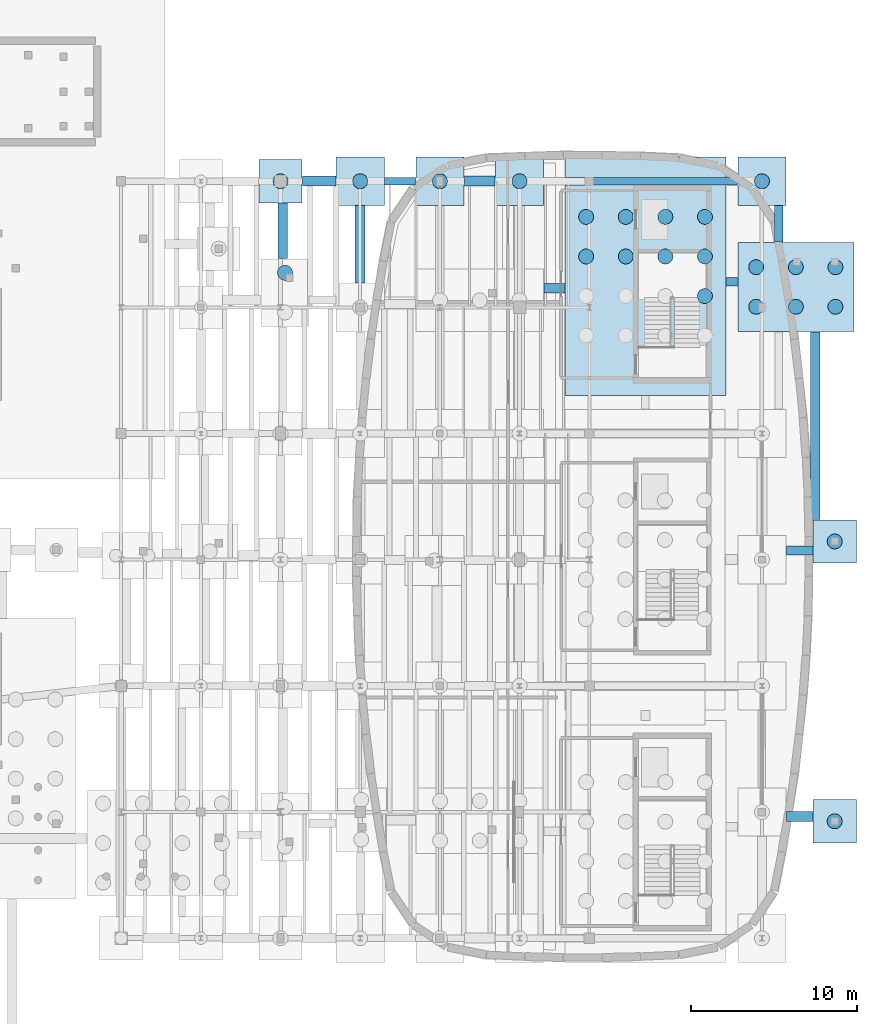
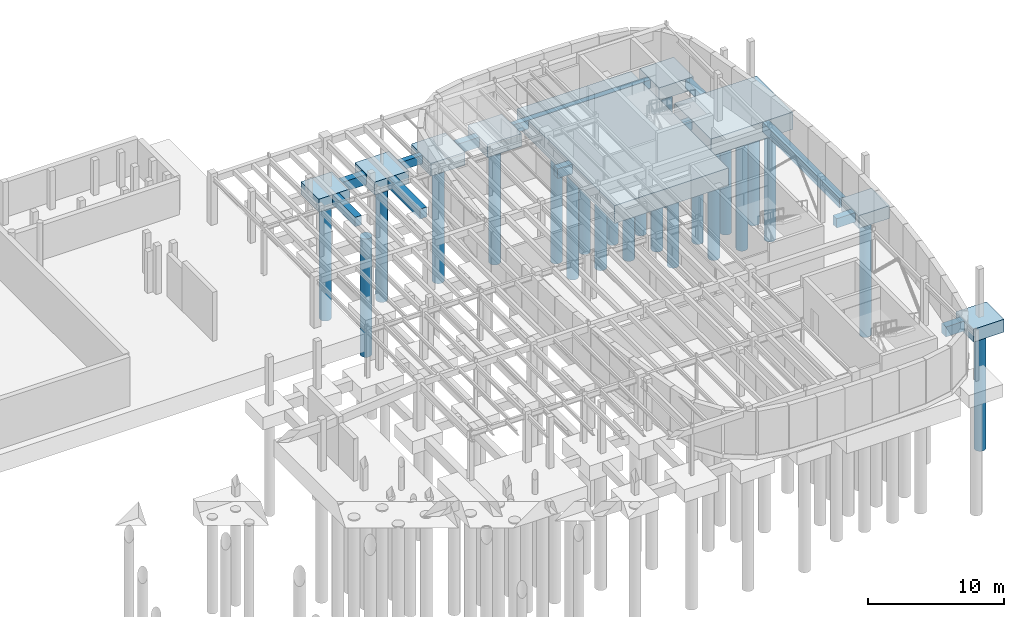
# One storey, part 8 of 45: 23 piles, 21 footings.
"""IFC4 building model written with IfcOpenShell, lengths in metres."""

from ifc_helpers import new_model, si_unit, direction, frame, origin, origin_2d, place, context, subcontext, project, spatial, rectangle, circle, extrude, material, material_profile, profile_set, type_object, element, save


model = new_model("IFC4")

# Units and contexts
model_context = context("Model", 3, precision=1e-05, world=origin(), true_north=direction((0.0, 1.0)))
body_context = subcontext(model_context, "Body", "Model", "MODEL_VIEW")
ifc_project = project(units=[si_unit("LENGTHUNIT", "METRE"), si_unit("AREAUNIT", "SQUARE_METRE"), si_unit("VOLUMEUNIT", "CUBIC_METRE"), si_unit("PLANEANGLEUNIT", "RADIAN"), si_unit("MASSUNIT", "GRAM", prefix="KILO")], contexts=[model_context])

# Site, building, storey
site_placement = place(None, origin())
site = spatial("IfcSite", under=ifc_project, at=site_placement, CompositionType="ELEMENT")
building_placement = place(site_placement, origin())
building = spatial("IfcBuilding", under=site, at=building_placement, Name="Corveleigh Park Community Centre", CompositionType="ELEMENT")
storey_placement = place(building_placement, frame((0.0, 0.0, -4.199951171875)))
storey = spatial("IfcBuildingStorey", under=building, at=storey_placement, Name="B1", CompositionType="ELEMENT", Elevation=-4.199951171875)

# Footings
ifc_material_1 = material(Name="Concrete C40/50", Category="concrete")
footing_type_1 = type_object("IfcFootingType", Name="FTG-GB-450x750", PredefinedType="FOOTING_BEAM", material=ifc_material_1)
footing_1_placement = place(storey_placement, frame((146.60009765625, 104.199951171875, -1.1650390625), z_axis=(0.0, 0.0, 1.0), x_axis=(1.0, 0.0, 0.0)))
element("IfcFooting", 1, at=footing_1_placement, inside=storey, type_object=footing_type_1, Name="Ground tie beam 193", PredefinedType="FOOTING_BEAM", context=body_context, shape_type="SweptSolid", body=[
    extrude(rectangle(XDim=1.860107421875, YDim=0.449951171875, at=origin_2d()), origin(), (0.0, 0.0, 1.0), 0.75),
])
footing_2_placement = place(storey_placement, frame((161.10009765625, 104.199951171875, -1.1650390625), z_axis=(0.0, 0.0, 1.0), x_axis=(1.0, 0.0, 0.0)))
element("IfcFooting", 2, at=footing_2_placement, inside=storey, type_object=footing_type_1, Name="Ground tie beam 213", PredefinedType="FOOTING_BEAM", context=body_context, shape_type="SweptSolid", body=[
    extrude(rectangle(XDim=11.659912109375, YDim=0.449951171875, at=origin_2d()), origin(), (0.0, 0.0, 1.0), 0.75),
])
footing_type_2 = type_object("IfcFootingType", Name="FTG-GB-500x800", PredefinedType="FOOTING_BEAM", material=ifc_material_1)
footing_3_placement = place(storey_placement, frame((166.5869140625, 98.15087890625, -1.21484375), z_axis=(0.0, 0.0, 1.0), x_axis=(1.0, 0.0, 0.0)))
element("IfcFooting", 3, at=footing_3_placement, inside=storey, type_object=footing_type_2, Name="Ground tie beam 218", PredefinedType="FOOTING_BEAM", context=body_context, shape_type="SweptSolid", body=[
    extrude(rectangle(XDim=0.68505859375, YDim=0.5, at=origin_2d()), origin(), (0.0, 0.0, 1.0), 0.800048828125),
])
footing_4_placement = place(storey_placement, frame((169.4208984375, 101.6279296875, -1.21484375), z_axis=(0.0, 0.0, 1.0), x_axis=(1.0, 0.0, 0.0)))
element("IfcFooting", 4, at=footing_4_placement, inside=storey, type_object=footing_type_2, Name="Ground tie beam 226", PredefinedType="FOOTING_BEAM", context=body_context, shape_type="SweptSolid", body=[
    extrude(rectangle(XDim=0.5, YDim=2.202880859375, at=origin_2d()), origin(), (0.0, 0.0, 1.0), 0.800048828125),
])
footing_type_3 = type_object("IfcFootingType", Name="FTG-GB-550x850", PredefinedType="FOOTING_BEAM", material=ifc_material_1)
footing_5_placement = place(storey_placement, frame((139.535888671875, 101.212890625, -1.26513671875), z_axis=(0.0, 0.0, 1.0), x_axis=(1.0, 0.0, 0.0)))
element("IfcFooting", 5, at=footing_5_placement, inside=storey, type_object=footing_type_3, Name="Ground tie beam 179", PredefinedType="FOOTING_BEAM", context=body_context, shape_type="SweptSolid", body=[
    extrude(rectangle(XDim=0.550048828125, YDim=3.333984375, at=origin_2d()), origin(), (0.0, 0.0, 1.0), 0.85009765625),
])
footing_6_placement = place(storey_placement, frame((155.89990234375, 97.7509765625, -1.26513671875), z_axis=(0.0, 0.0, 1.0), x_axis=(1.0, 0.0, 0.0)))
element("IfcFooting", 6, at=footing_6_placement, inside=storey, type_object=footing_type_3, Name="Ground tie beam 203", PredefinedType="FOOTING_BEAM", context=body_context, shape_type="SweptSolid", body=[
    extrude(rectangle(XDim=1.259033203125, YDim=0.550048828125, at=origin_2d()), origin(), (0.0, 0.0, 1.0), 0.85009765625),
])
footing_7_placement = place(storey_placement, frame((170.666015625, 81.949951171875, -1.26513671875), z_axis=(0.0, 0.0, 1.0), x_axis=(1.0, 0.0, 0.0)))
element("IfcFooting", 7, at=footing_7_placement, inside=storey, type_object=footing_type_3, Name="Ground tie beam 223", PredefinedType="FOOTING_BEAM", context=body_context, shape_type="SweptSolid", body=[
    extrude(rectangle(XDim=1.592041015625, YDim=0.550048828125, at=origin_2d()), origin(), (0.0, 0.0, 1.0), 0.85009765625),
])
footing_8_placement = place(storey_placement, frame((171.612060546875, 89.47509765625, -1.26513671875), z_axis=(0.0, 0.0, 1.0), x_axis=(1.0, 0.0, 0.0)))
element("IfcFooting", 8, at=footing_8_placement, inside=storey, type_object=footing_type_3, Name="Ground tie beam 227", PredefinedType="FOOTING_BEAM", context=body_context, shape_type="SweptSolid", body=[
    extrude(rectangle(XDim=0.550048828125, YDim=11.31005859375, at=origin_2d()), origin(), (0.0, 0.0, 1.0), 0.85009765625),
])
footing_type_4 = type_object("IfcFootingType", Name="FTG-GB-600x900", PredefinedType="FOOTING_BEAM", material=ifc_material_1)
footing_9_placement = place(storey_placement, frame((141.72509765625, 104.199951171875, -1.31494140625), z_axis=(0.0, 0.0, 1.0), x_axis=(1.0, 0.0, 0.0)))
element("IfcFooting", 9, at=footing_9_placement, inside=storey, type_object=footing_type_4, Name="Ground tie beam 180", PredefinedType="FOOTING_BEAM", context=body_context, shape_type="SweptSolid", body=[
    extrude(rectangle(XDim=2.010009765625, YDim=0.60009765625, at=origin_2d()), origin(), (0.0, 0.0, 1.0), 0.89990234375),
])
footing_10_placement = place(storey_placement, frame((144.199951171875, 100.39990234375, -1.31494140625), z_axis=(0.0, 0.0, 1.0), x_axis=(1.0, 0.0, 0.0)))
element("IfcFooting", 10, at=footing_10_placement, inside=storey, type_object=footing_type_4, Name="Ground tie beam 192", PredefinedType="FOOTING_BEAM", context=body_context, shape_type="SweptSolid", body=[
    extrude(rectangle(XDim=0.60009765625, YDim=4.659912109375, at=origin_2d()), origin(), (0.0, 0.0, 1.0), 0.89990234375),
])
footing_11_placement = place(storey_placement, frame((151.39990234375, 104.199951171875, -1.31494140625), z_axis=(0.0, 0.0, 1.0), x_axis=(1.0, 0.0, 0.0)))
element("IfcFooting", 11, at=footing_11_placement, inside=storey, type_object=footing_type_4, Name="Ground tie beam 204", PredefinedType="FOOTING_BEAM", context=body_context, shape_type="SweptSolid", body=[
    extrude(rectangle(XDim=1.860107421875, YDim=0.60009765625, at=origin_2d()), origin(), (0.0, 0.0, 1.0), 0.89990234375),
])
footing_12_placement = place(storey_placement, frame((170.666015625, 65.922119140625, -1.31494140625), z_axis=(0.0, 0.0, 1.0), x_axis=(1.0, 0.0, 0.0)))
element("IfcFooting", 12, at=footing_12_placement, inside=storey, type_object=footing_type_4, Name="Ground tie beam 220", PredefinedType="FOOTING_BEAM", context=body_context, shape_type="SweptSolid", body=[
    extrude(rectangle(XDim=1.592041015625, YDim=0.60009765625, at=origin_2d()), origin(), (0.0, 0.0, 1.0), 0.89990234375),
])
footing_type_5 = type_object("IfcFootingType", Name="FTG-PC-2600x2600x1150", PredefinedType="PILE_CAP", material=ifc_material_1)
footing_13_placement = place(storey_placement, frame((139.39990234375, 104.199951171875, -1.56494140625), z_axis=(0.0, 0.0, 1.0), x_axis=(1.0, 0.0, 0.0)))
element("IfcFooting", 13, at=footing_13_placement, inside=storey, type_object=footing_type_5, Name="Pile cap 139", PredefinedType="PILE_CAP", context=body_context, shape_type="SweptSolid", body=[
    extrude(rectangle(XDim=2.60009765625, YDim=2.60009765625, at=origin_2d()), origin(), (0.0, 0.0, 1.0), 1.14990234375),
])
for number, where, z_axis, x_axis, name in (
    (14, (144.199951171875, 104.199951171875, -1.56494140625), (0.0, 0.0, 1.0), (1.0, 0.0, 0.0), "Pile cap 146"),
    (15, (149.0, 104.199951171875, -1.56494140625), (0.0, 0.0, 1.0), (1.0, 0.0, 0.0), "Pile cap 153"),
    (16, (153.800048828125, 104.199951171875, -1.56494140625), (0.0, 0.0, 1.0), (1.0, 0.0, 0.0), "Pile cap 158"),
    (17, (168.39990234375, 104.199951171875, -1.56494140625), (0.0, 0.0, 1.0), (1.0, 0.0, 0.0), "Pile cap 168"),
):
    element("IfcFooting", number, at=place(storey_placement, frame(where, z_axis=z_axis, x_axis=x_axis)), inside=storey, type_object=footing_type_5, Name=name, PredefinedType="PILE_CAP", context=body_context, shape_type="SweptSolid", body=[
        extrude(rectangle(XDim=2.89990234375, YDim=2.89990234375, at=origin_2d()), origin(), (0.0, 0.0, 1.0), 1.14990234375),
    ])
for number, where, z_axis, x_axis, name in (
    (18, (172.781982421875, 65.64404296875, -1.56494140625), (0.0, 0.0, 1.0), (1.0, 0.0, 0.0), "Pile cap 169"),
    (19, (172.781982421875, 82.5, -1.56494140625), (0.0, 0.0, 1.0), (1.0, 0.0, 0.0), "Pile cap 170"),
):
    element("IfcFooting", number, at=place(storey_placement, frame(where, z_axis=z_axis, x_axis=x_axis)), inside=storey, type_object=footing_type_5, Name=name, PredefinedType="PILE_CAP", context=body_context, shape_type="SweptSolid", body=[
        extrude(rectangle(XDim=2.60009765625, YDim=2.60009765625, at=origin_2d()), origin(), (0.0, 0.0, 1.0), 1.14990234375),
    ])
footing_type_6 = type_object("IfcFootingType", Name="FTG-PC-8400x6000x1550", PredefinedType="PILE_CAP", material=ifc_material_1)
footing_14_placement = place(storey_placement, frame((170.44091796875, 97.827880859375, -1.96484375), z_axis=(0.0, 0.0, 1.0), x_axis=(1.0, 0.0, 0.0)))
element("IfcFooting", 20, at=footing_14_placement, inside=storey, type_object=footing_type_6, Name="Pile cap 167", PredefinedType="PILE_CAP", context=body_context, shape_type="SweptSolid", body=[
    extrude(rectangle(XDim=6.98193359375, YDim=5.35693359375, at=origin_2d()), origin(), (0.0, 0.0, 1.0), 1.550048828125),
])
footing_type_7 = type_object("IfcFootingType", Name="FTG-PC-9800x7200x1600", PredefinedType="PILE_CAP", material=ifc_material_1)
footing_15_placement = place(storey_placement, frame((161.386962890625, 98.47509765625, -2.01513671875), z_axis=(0.0, 0.0, 1.0), x_axis=(1.0, 0.0, 0.0)))
element("IfcFooting", 21, at=footing_15_placement, inside=storey, type_object=footing_type_7, Name="Pile cap 161", PredefinedType="PILE_CAP", context=body_context, shape_type="SweptSolid", body=[
    extrude(rectangle(XDim=9.675048828125, YDim=14.35009765625, at=origin_2d()), origin(), (0.0, 0.0, 1.0), 1.60009765625),
])

# Piles
ifc_material_2 = material(Name="Concrete C32/40", Category="concrete")
ifc_material_profile = material_profile(ifc_material_2, circle(Radius=0.449951171875, at=origin_2d()), Name="BORED-PILE-900", Category="concrete")
ifc_profile_set = profile_set([ifc_material_profile], Name="Concrete C32/40")
pile_type = type_object("IfcPileType", Name="PIL-BRD-900", PredefinedType="BORED", material=ifc_profile_set)
pile_placement = place(storey_placement, frame((139.6708984375, 98.680908203125, -1.6650390625), z_axis=(0.0, 0.0, -1.0), x_axis=(1.0, 0.0, 0.0)))
element("IfcPile", 22, at=pile_placement, inside=storey, type_object=pile_type, Name="Rotary bored pile C138-2", PredefinedType="BORED", context=body_context, shape_type="SweptSolid", body=[
    extrude(circle(Radius=0.449951171875, at=origin_2d()), origin(), (0.0, 0.0, 1.0), 10.635009765625),
])
for number, where, z_axis, x_axis, name in (
    (23, (139.39990234375, 104.199951171875, -1.465087890625), (0.0, 0.0, -1.0), (1.0, 0.0, 0.0), "Rotary bored pile C139-1"),
    (24, (144.199951171875, 104.199951171875, -1.465087890625), (0.0, 0.0, -1.0), (1.0, 0.0, 0.0), "Rotary bored pile C146-1"),
    (25, (149.0, 104.199951171875, -1.465087890625), (0.0, 0.0, -1.0), (1.0, 0.0, 0.0), "Rotary bored pile C153-1"),
    (26, (153.800048828125, 104.199951171875, -1.465087890625), (0.0, 0.0, -1.0), (1.0, 0.0, 0.0), "Rotary bored pile C158-1"),
):
    element("IfcPile", number, at=place(storey_placement, frame(where, z_axis=z_axis, x_axis=x_axis)), inside=storey, type_object=pile_type, Name=name, PredefinedType="BORED", context=body_context, shape_type="SweptSolid", body=[
        extrude(circle(Radius=0.449951171875, at=origin_2d()), origin(), (0.0, 0.0, 1.0), 10.8349609375),
    ])
for number, where, z_axis, x_axis, name in (
    (27, (157.81005859375, 99.6669921875, -1.9150390625), (0.0, 0.0, -1.0), (1.0, 0.0, 0.0), "Rotary bored pile C161-3"),
    (28, (157.81005859375, 102.052001953125, -1.9150390625), (0.0, 0.0, -1.0), (1.0, 0.0, 0.0), "Rotary bored pile C161-4"),
    (29, (160.195068359375, 99.6669921875, -1.9150390625), (0.0, 0.0, -1.0), (1.0, 0.0, 0.0), "Rotary bored pile C161-7"),
    (30, (160.195068359375, 102.052001953125, -1.9150390625), (0.0, 0.0, -1.0), (1.0, 0.0, 0.0), "Rotary bored pile C161-8"),
    (31, (162.580078125, 99.6669921875, -1.9150390625), (0.0, 0.0, -1.0), (1.0, 0.0, 0.0), "Rotary bored pile C161-11"),
    (32, (162.580078125, 102.052001953125, -1.9150390625), (0.0, 0.0, -1.0), (1.0, 0.0, 0.0), "Rotary bored pile C161-12"),
    (33, (164.965087890625, 97.281982421875, -1.9150390625), (0.0, 0.0, -1.0), (1.0, 0.0, 0.0), "Rotary bored pile C161-14"),
    (34, (164.965087890625, 99.6669921875, -1.9150390625), (0.0, 0.0, -1.0), (1.0, 0.0, 0.0), "Rotary bored pile C161-15"),
    (35, (164.965087890625, 102.052001953125, -1.9150390625), (0.0, 0.0, -1.0), (1.0, 0.0, 0.0), "Rotary bored pile C161-16"),
):
    element("IfcPile", number, at=place(storey_placement, frame(where, z_axis=z_axis, x_axis=x_axis)), inside=storey, type_object=pile_type, Name=name, PredefinedType="BORED", context=body_context, shape_type="SweptSolid", body=[
        extrude(circle(Radius=0.449951171875, at=origin_2d()), origin(), (0.0, 0.0, 1.0), 10.385009765625),
    ])
for number, where, z_axis, x_axis, name in (
    (36, (168.055908203125, 96.635986328125, -1.864990234375), (0.0, 0.0, -1.0), (1.0, 0.0, 0.0), "Rotary bored pile C167-1"),
    (37, (168.055908203125, 99.02099609375, -1.864990234375), (0.0, 0.0, -1.0), (1.0, 0.0, 0.0), "Rotary bored pile C167-2"),
    (38, (170.44091796875, 96.635986328125, -1.864990234375), (0.0, 0.0, -1.0), (1.0, 0.0, 0.0), "Rotary bored pile C167-3"),
    (39, (170.44091796875, 99.02099609375, -1.864990234375), (0.0, 0.0, -1.0), (1.0, 0.0, 0.0), "Rotary bored pile C167-4"),
    (40, (172.825927734375, 96.635986328125, -1.864990234375), (0.0, 0.0, -1.0), (1.0, 0.0, 0.0), "Rotary bored pile C167-5"),
    (41, (172.825927734375, 99.02099609375, -1.864990234375), (0.0, 0.0, -1.0), (1.0, 0.0, 0.0), "Rotary bored pile C167-6"),
):
    element("IfcPile", number, at=place(storey_placement, frame(where, z_axis=z_axis, x_axis=x_axis)), inside=storey, type_object=pile_type, Name=name, PredefinedType="BORED", context=body_context, shape_type="SweptSolid", body=[
        extrude(circle(Radius=0.449951171875, at=origin_2d()), origin(), (0.0, 0.0, 1.0), 10.43505859375),
    ])
for number, where, z_axis, x_axis, name in (
    (42, (168.39990234375, 104.199951171875, -1.465087890625), (0.0, 0.0, -1.0), (1.0, 0.0, 0.0), "Rotary bored pile C168-1"),
    (43, (172.781982421875, 65.64404296875, -1.465087890625), (0.0, 0.0, -1.0), (1.0, 0.0, 0.0), "Rotary bored pile C169-1"),
    (44, (172.781982421875, 82.5, -1.465087890625), (0.0, 0.0, -1.0), (1.0, 0.0, 0.0), "Rotary bored pile C170-1"),
):
    element("IfcPile", number, at=place(storey_placement, frame(where, z_axis=z_axis, x_axis=x_axis)), inside=storey, type_object=pile_type, Name=name, PredefinedType="BORED", context=body_context, shape_type="SweptSolid", body=[
        extrude(circle(Radius=0.449951171875, at=origin_2d()), origin(), (0.0, 0.0, 1.0), 10.8349609375),
    ])

save(model, "model.ifc")
